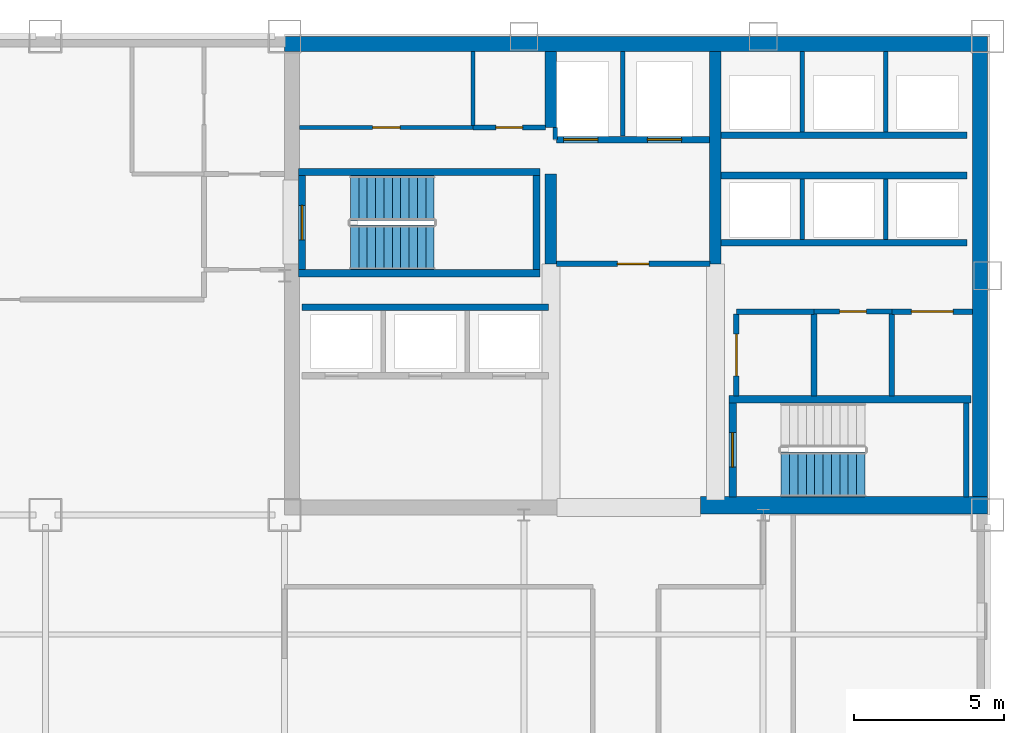
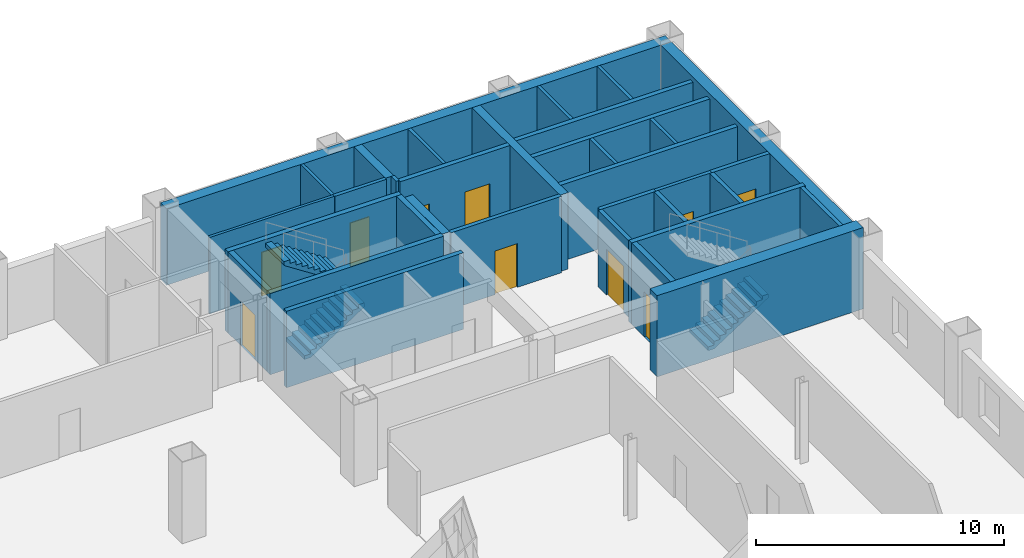
# One storey, part 7 of 10: 34 walls, 10 doors, 3 stair flights, 10 openings, 2 elements without a shape of their own.
"""IFC4 building model written with IfcOpenShell, lengths in metres."""

import ifcopenshell
import ifcopenshell.guid

model = None  # the IFC model being written
_history = None  # IfcOwnerHistory: only IFC2X3 demands one
_inside = {}  # id of a spatial element -> (the spatial element, [elements in it])
_under = {}  # id of a project, library or spatial element -> (it, [spatial elements below it])
_declared = {}  # id of a project -> (the project, [libraries it declares])
_typed = {}  # id of a type object -> (the type object, [elements of that type])
_made_of = {}  # id of a material, layer set ... -> (it, [elements and type objects made of it])


def new_model(schema):
    """Start an empty IFC model of exactly this schema.

    Asked for "IFC4X3", IfcOpenShell would pick the latest addendum, in which some entities
    have other attributes; the version numbers below select the first issue.
    IFC2X3 requires an IfcOwnerHistory on every rooted entity: one is made here for all.
    """
    global model, _history
    if schema == "IFC4X3":
        model = ifcopenshell.file(schema_version=(4, 3, 0, 0))
    else:
        model = ifcopenshell.file(schema=schema)
    _inside.clear()
    _under.clear()
    _declared.clear()
    _typed.clear()
    _made_of.clear()
    _history = None
    if model.schema == "IFC2X3":
        org = make("IfcOrganization", Name="unknown")
        user = make(
            "IfcPersonAndOrganization",
            ThePerson=make("IfcPerson", FamilyName="unknown"),
            TheOrganization=org,
        )
        app = make(
            "IfcApplication",
            ApplicationDeveloper=org,
            Version="unknown",
            ApplicationFullName="unknown",
            ApplicationIdentifier="unknown",
        )
        _history = make(
            "IfcOwnerHistory",
            OwningUser=user,
            OwningApplication=app,
            ChangeAction="ADDED",
            CreationDate=0,
        )
    return model


def make(cls, **values):
    """One entity of the class cls with the attributes given. An attribute that is None is left unset."""
    return model.create_entity(
        cls, **{name: value for name, value in values.items() if value is not None}
    )


def rooted(cls, **values):
    """An entity with a GlobalId (a new one), such as an element, a storey or a relation."""
    return make(cls, GlobalId=ifcopenshell.guid.new(), OwnerHistory=_history, **values)


def si_unit(unit_type, name, prefix=None):
    """IfcSIUnit, for example si_unit("LENGTHUNIT", "METRE", prefix="MILLI")."""
    return make("IfcSIUnit", UnitType=unit_type, Prefix=prefix, Name=name)


def assignment(units):
    """IfcUnitAssignment: the units of a project."""
    return None if units is None else make("IfcUnitAssignment", Units=units)


def point(xyz):
    """IfcCartesianPoint."""
    return None if xyz is None else make("IfcCartesianPoint", Coordinates=xyz)


def direction(xyz):
    """IfcDirection."""
    return None if xyz is None else make("IfcDirection", DirectionRatios=xyz)


def frame(location, z_axis=None, x_axis=None):
    """IfcAxis2Placement3D, a coordinate frame: its origin and axes. An axis left out is left unset."""
    return make(
        "IfcAxis2Placement3D",
        Location=point(location),
        Axis=direction(z_axis),
        RefDirection=direction(x_axis),
    )


def frame_2d(location, x_axis=None):
    """IfcAxis2Placement2D, a coordinate frame in the plane: its origin and x axis."""
    return make(
        "IfcAxis2Placement2D", Location=point(location), RefDirection=direction(x_axis)
    )


def origin():
    """The frame at (0, 0, 0) with its axes left unset."""
    return frame((0.0, 0.0, 0.0))


def place(relative_to, where):
    """IfcLocalPlacement: puts the frame where relative to a parent placement (None: the world)."""
    return make(
        "IfcLocalPlacement", PlacementRelTo=relative_to, RelativePlacement=where
    )


def context(
    kind, dimensions, precision=None, world=None, true_north=None, identifier=None
):
    """IfcGeometricRepresentationContext, for example the 3D "Model" context."""
    return make(
        "IfcGeometricRepresentationContext",
        ContextIdentifier=identifier,
        ContextType=kind,
        CoordinateSpaceDimension=dimensions,
        Precision=precision,
        WorldCoordinateSystem=world,
        TrueNorth=true_north,
    )


def subcontext(parent, identifier, kind, view, scale=None):
    """IfcGeometricRepresentationSubContext, for example "Body" below "Model"."""
    return make(
        "IfcGeometricRepresentationSubContext",
        ContextIdentifier=identifier,
        ContextType=kind,
        ParentContext=parent,
        TargetScale=scale,
        TargetView=view,
    )


def project(units=None, contexts=None):
    """IfcProject with its units and contexts."""
    return rooted(
        "IfcProject",
        Name="project",
        RepresentationContexts=contexts,
        UnitsInContext=assignment(units),
    )


def spatial(cls, under=None, at=None, **own):
    """A site, building, storey or space (cls), placed at a placement, below another one or the project."""
    s = rooted(cls, ObjectPlacement=at, **own)
    if under is not None:
        _under.setdefault(under.id(), (under, []))[1].append(s)
    return s


def polyline(points):
    """IfcPolyline through the points."""
    return make("IfcPolyline", Points=[point(p) for p in points])


def profile(cls, at=None, kind="AREA", **sizes):
    """A parametric profile (cls). Its sizes go by their IFC names, for example OverallWidth=200.0."""
    return make(cls, ProfileType=kind, Position=at, **sizes)


def rectangle(**sizes):
    """IfcRectangleProfileDef."""
    return profile("IfcRectangleProfileDef", **sizes)


def outline(outer, holes=None, kind="AREA"):
    """IfcArbitraryClosedProfileDef: a profile drawn as a closed curve; with holes, ...WithVoids."""
    if holes is None:
        return make("IfcArbitraryClosedProfileDef", ProfileType=kind, OuterCurve=outer)
    return make(
        "IfcArbitraryProfileDefWithVoids",
        ProfileType=kind,
        OuterCurve=outer,
        InnerCurves=holes,
    )


def extrude(swept, where, along, depth):
    """IfcExtrudedAreaSolid: the profile swept, set in the frame where, extruded along a direction by depth."""
    return make(
        "IfcExtrudedAreaSolid",
        SweptArea=swept,
        Position=where,
        ExtrudedDirection=direction(along),
        Depth=depth,
    )


def shape(context_of_items, identifier, shape_type, items):
    """IfcShapeRepresentation: the items that make up one representation, for example the "Body"."""
    return make(
        "IfcShapeRepresentation",
        ContextOfItems=context_of_items,
        RepresentationIdentifier=identifier,
        RepresentationType=shape_type,
        Items=items,
    )


def material(Name=None, Category=None):
    """IfcMaterial."""
    return make("IfcMaterial", Name=Name, Category=Category)


def layer(
    of_material, thickness, ventilated=None, Name=None, Category=None, Priority=None
):
    """IfcMaterialLayer: one layer of a wall or slab, of a material (None: an air gap)."""
    return make(
        "IfcMaterialLayer",
        Material=of_material,
        LayerThickness=thickness,
        IsVentilated=ventilated,
        Name=Name,
        Category=Category,
        Priority=Priority,
    )


def layer_set(layers, Name=None):
    """IfcMaterialLayerSet."""
    return make("IfcMaterialLayerSet", MaterialLayers=layers, LayerSetName=Name)


def made_of(thing, what):
    """Note that an element or type object is made of a material, layer set ...; save() writes the relation."""
    if what is not None:
        _made_of.setdefault(what.id(), (what, []))[1].append(thing)
    return thing


def type_object(cls, material=None, **own):
    """A type object (cls), such as IfcWallType, which elements share."""
    return made_of(rooted(cls, **own), material)


def element(
    cls,
    number,
    at=None,
    inside=None,
    cuts=None,
    type_object=None,
    material=None,
    context=None,
    identifier="Body",
    shape_type=None,
    held_by="IfcProductDefinitionShape",
    body=None,
    shapes=None,
    **own,
):
    """One element of the class cls, such as IfcWall. Its Tag is "e" and its number.

    at: its placement. inside: the storey or other place that contains it. cuts: it is an
    opening in that element (IfcRelVoidsElement). A single representation is given by context,
    identifier, shape_type and body (its items); several are given by shapes. held_by: the class
    of the entity that holds the representations. save() writes the other relations.
    """
    e = rooted(cls, Tag="e%d" % number, ObjectPlacement=at, **own)
    if body is not None:
        shapes = [shape(context, identifier, shape_type, body)]
    if shapes is not None:
        e.Representation = make(held_by, Representations=shapes)
    if inside is not None:
        _inside.setdefault(inside.id(), (inside, []))[1].append(e)
    if cuts is not None:
        rooted(
            "IfcRelVoidsElement", RelatingBuildingElement=cuts, RelatedOpeningElement=e
        )
    if type_object is not None:
        _typed.setdefault(type_object.id(), (type_object, []))[1].append(e)
    return made_of(e, material)


def fill(opening, filler):
    """IfcRelFillsElement: the door or window that sits in an opening."""
    return rooted(
        "IfcRelFillsElement",
        RelatingOpeningElement=opening,
        RelatedBuildingElement=filler,
    )


def aggregate(whole, parts):
    """IfcRelAggregates: a whole, such as a stair, and the parts it consists of."""
    return rooted("IfcRelAggregates", RelatingObject=whole, RelatedObjects=parts)


def save(model, path):
    """Write the relations noted so far, then the file.

    IfcRelAggregates (storeys below a building ...), IfcRelContainedInSpatialStructure (elements
    in a storey), IfcRelDefinesByType, IfcRelAssociatesMaterial and IfcRelDeclares: one each for
    every whole, place, type object, material and project.
    """
    for whole, parts in _under.values():
        aggregate(whole, parts)
    for where, things in _inside.values():
        rooted(
            "IfcRelContainedInSpatialStructure",
            RelatedElements=things,
            RelatingStructure=where,
        )
    for kind, things in _typed.values():
        rooted("IfcRelDefinesByType", RelatedObjects=things, RelatingType=kind)
    for what, things in _made_of.values():
        rooted("IfcRelAssociatesMaterial", RelatedObjects=things, RelatingMaterial=what)
    for by, libraries in _declared.values():
        rooted("IfcRelDeclares", RelatingContext=by, RelatedDefinitions=libraries)
    model.write(path)


model = new_model("IFC4")

# Units and contexts
model_context = context("Model", 3, precision=1e-05, world=origin(), true_north=direction((0.0, 1.0)))
body_context = subcontext(model_context, "Body", "Model", "MODEL_VIEW")
ifc_project = project(units=[si_unit("LENGTHUNIT", "METRE"), si_unit("AREAUNIT", "SQUARE_METRE"), si_unit("VOLUMEUNIT", "CUBIC_METRE"), si_unit("PLANEANGLEUNIT", "RADIAN"), si_unit("MASSUNIT", "GRAM", prefix="KILO")], contexts=[model_context])

# Site, building, storey
site_placement = place(None, origin())
site = spatial("IfcSite", under=ifc_project, at=site_placement, CompositionType="ELEMENT")
building_placement = place(site_placement, origin())
building = spatial("IfcBuilding", under=site, at=building_placement, Name="Qianrong Seaharbour Tower", CompositionType="ELEMENT")
storey_placement = place(building_placement, frame((0.0, 0.0, 159.0)))
storey = spatial("IfcBuildingStorey", under=building, at=storey_placement, Name="L38", CompositionType="ELEMENT", Elevation=159.0)

# Walls
ifc_material_1 = material(Name="Concrete C60/75", Category="concrete")
ifc_layer_1 = layer(ifc_material_1, 0.5)
ifc_layer_set_1 = layer_set([ifc_layer_1], Name="Concrete C60/75")
wall_type_1 = type_object("IfcWallType", Name="WALL-CORE-500", PredefinedType="SHEAR", material=ifc_layer_set_1)
wall_1_placement = place(storey_placement, frame((40.5, 51.75, 0.0), z_axis=(0.0, 0.0, 1.0), x_axis=(1.0, 0.0, 0.0)))
element("IfcWall", 1, at=wall_1_placement, inside=storey, type_object=wall_type_1, Name="L38 North Core Shear Wall", PredefinedType="SHEAR", context=body_context, shape_type="SweptSolid", body=[
    extrude(rectangle(XDim=23.5, YDim=0.5, at=frame_2d((11.75, 0.0))), origin(), (0.0, 0.0, 1.0), 3.764892578125),
])
wall_2_placement = place(storey_placement, frame((63.75, 36.320068359375, 0.0), z_axis=(0.0, 0.0, 1.0), x_axis=(0.0, 1.0, 0.0)))
element("IfcWall", 2, at=wall_2_placement, inside=storey, type_object=wall_type_1, Name="L38 East Core Shear Wall", PredefinedType="SHEAR", context=body_context, shape_type="SweptSolid", body=[
    extrude(rectangle(XDim=15.179931640625, YDim=0.5, at=frame_2d((7.58984375, 0.0))), origin(), (0.0, 0.0, 1.0), 3.764892578125),
])
ifc_material_2 = material(Name="Concrete C70/85", Category="concrete")
ifc_layer_2 = layer(ifc_material_2, 0.580078125)
ifc_layer_set_2 = layer_set([ifc_layer_2], Name="Concrete C70/85")
wall_type_2 = type_object("IfcWallType", Name="WALL-CORE-580", PredefinedType="SHEAR", material=ifc_layer_set_2)
wall_3_placement = place(storey_placement, frame((54.39990234375, 36.320068359375, 0.0), z_axis=(0.0, 0.0, 1.0), x_axis=(1.0, 0.0, 0.0)))
element("IfcWall", 3, at=wall_3_placement, inside=storey, type_object=wall_type_2, Name="L38 South Core Shear Wall S3", PredefinedType="SHEAR", context=body_context, shape_type="SweptSolid", body=[
    extrude(rectangle(XDim=9.60009765625, YDim=0.580078125, at=frame_2d((4.800048828125, 0.0))), origin(), (0.0, 0.0, 1.0), 4.0),
])
ifc_layer_3 = layer(ifc_material_1, 0.3798828125)
ifc_layer_set_3 = layer_set([ifc_layer_3], Name="Concrete C60/75")
wall_type_3 = type_object("IfcWallType", Name="WALL-CORE-INT-380", PredefinedType="SHEAR", material=ifc_layer_set_3)
wall_4_placement = place(storey_placement, frame((49.39990234375, 44.39990234375, 0.0), z_axis=(0.0, 0.0, 1.0), x_axis=(0.0, 1.0, 0.0)))
element("IfcWall", 4, at=wall_4_placement, inside=storey, type_object=wall_type_3, Name="L38 Internal Core Shear Wall IW1N1", PredefinedType="SHEAR", context=body_context, shape_type="SweptSolid", body=[
    extrude(rectangle(XDim=3.0, YDim=0.3798828125, at=frame_2d((1.5, 0.0))), origin(), (0.0, 0.0, 1.0), 3.764892578125),
])
wall_5_placement = place(storey_placement, frame((49.39990234375, 48.949951171875, 0.0), z_axis=(0.0, 0.0, 1.0), x_axis=(0.0, 1.0, 0.0)))
element("IfcWall", 5, at=wall_5_placement, inside=storey, type_object=wall_type_3, Name="L38 Internal Core Shear Wall IW1N2", PredefinedType="SHEAR", context=body_context, shape_type="SweptSolid", body=[
    extrude(rectangle(XDim=2.550048828125, YDim=0.3798828125, at=frame_2d((1.27490234375, 0.0))), origin(), (0.0, 0.0, 1.0), 3.764892578125),
])
wall_6_placement = place(storey_placement, frame((54.89990234375, 44.39990234375, 0.0), z_axis=(0.0, 0.0, 1.0), x_axis=(0.0, 1.0, 0.0)))
element("IfcWall", 6, at=wall_6_placement, inside=storey, type_object=wall_type_3, Name="L38 Internal Core Shear Wall IW2N", PredefinedType="SHEAR", context=body_context, shape_type="SweptSolid", body=[
    extrude(rectangle(XDim=7.10009765625, YDim=0.3798828125, at=frame_2d((3.550048828125, 0.0))), origin(), (0.0, 0.0, 1.0), 3.764892578125),
])

# Wall, opening, door
ifc_material_3 = material(Name="Fire-rated acoustic gypsum board partition")
ifc_layer_4 = layer(ifc_material_3, 0.1650390625)
ifc_layer_set_4 = layer_set([ifc_layer_4], Name="Fire-rated acoustic gypsum board partition")
wall_type_4 = type_object("IfcWallType", Name="WALL-CORR-PART-165", PredefinedType="PARTITIONING", material=ifc_layer_set_4)
wall_7_placement = place(storey_placement, frame((46.800048828125, 48.949951171875, 0.0), z_axis=(0.0, 0.0, 1.0), x_axis=(1.0, 0.0, 0.0)))
wall_7 = element("IfcWall", 7, at=wall_7_placement, inside=storey, type_object=wall_type_4, Name="L38 Interior Partition Wall 008", PredefinedType="PARTITIONING", context=body_context, shape_type="SweptSolid", body=[
    extrude(rectangle(XDim=2.41796875, YDim=0.1650390625, at=frame_2d((1.208984375, 0.0))), origin(), (0.0, 0.0, 1.0), 3.764892578125),
])
opening_1_placement = place(wall_7_placement, frame((0.759033203125, 0.0, 0.0)))
opening_1 = element("IfcOpeningElement", 8, at=opening_1_placement, cuts=wall_7, Name="Opening DS-01", PredefinedType="OPENING", context=body_context, shape_type="SweptSolid", body=[
    extrude(rectangle(XDim=0.89990234375, YDim=2.14990234375, at=frame_2d((0.449951171875, 1.074951171875))), frame((0.0, 0.092529296875, 0.0), z_axis=(0.0, -1.0, 0.0), x_axis=(1.0, 0.0, 0.0)), (0.0, 0.0, 1.0), 0.18505859375),
])
ifc_material_4 = material(Name="Acoustic timber and galvanized steel fire door assembly", Category="steel")
door_type_1 = type_object("IfcDoorType", Name="DOOR-STORE-900x2150", OperationType="NOTDEFINED", PredefinedType="DOOR", material=ifc_material_4)
door_1_placement = place(opening_1_placement, origin())
door_1 = element("IfcDoor", 9, at=door_1_placement, inside=storey, type_object=door_type_1, Name="L38 Janitor Store Room Door", OperationType="SINGLE_SWING_LEFT", OverallHeight=2.14990234375, OverallWidth=0.89990234375, PredefinedType="DOOR", context=body_context, shape_type="SweptSolid", body=[
    extrude(rectangle(XDim=0.89990234375, YDim=2.14990234375, at=frame_2d((0.449951171875, 1.074951171875))), frame((0.0, 0.02490234375, 0.0), z_axis=(0.0, -1.0, 0.0), x_axis=(1.0, 0.0, 0.0)), (0.0, 0.0, 1.0), 0.050048828125),
])
fill(opening_1, door_1)

wall_8_placement = place(storey_placement, frame((60.800048828125, 42.800048828125, 0.0), z_axis=(0.0, 0.0, 1.0), x_axis=(-1.0, 0.0, 0.0)))
wall_8 = element("IfcWall", 10, at=wall_8_placement, inside=storey, type_object=wall_type_4, Name="L38 Interior Partition Wall 012", PredefinedType="PARTITIONING", context=body_context, shape_type="SweptSolid", body=[
    extrude(rectangle(XDim=2.60009765625, YDim=0.1650390625, at=frame_2d((1.300048828125, 0.0))), origin(), (0.0, 0.0, 1.0), 3.764892578125),
])
opening_2_placement = place(wall_8_placement, frame((0.85009765625, 0.0, 0.0)))
opening_2 = element("IfcOpeningElement", 11, at=opening_2_placement, cuts=wall_8, Name="Opening DS-01", PredefinedType="OPENING", context=body_context, shape_type="SweptSolid", body=[
    extrude(rectangle(XDim=0.89990234375, YDim=2.14990234375, at=frame_2d((0.449951171875, 1.074951171875))), frame((0.0, 0.092529296875, 0.0), z_axis=(0.0, -1.0, 0.0), x_axis=(1.0, 0.0, 0.0)), (0.0, 0.0, 1.0), 0.18505859375),
])
door_2_placement = place(opening_2_placement, origin())
door_2 = element("IfcDoor", 12, at=door_2_placement, inside=storey, type_object=door_type_1, Name="L38 Supply Store Room Door", OperationType="SINGLE_SWING_RIGHT", OverallHeight=2.14990234375, OverallWidth=0.89990234375, PredefinedType="DOOR", context=body_context, shape_type="SweptSolid", body=[
    extrude(rectangle(XDim=0.89990234375, YDim=2.14990234375, at=frame_2d((0.449951171875, 1.074951171875))), frame((0.0, 0.02490234375, 0.0), z_axis=(0.0, -1.0, 0.0), x_axis=(1.0, 0.0, 0.0)), (0.0, 0.0, 1.0), 0.050048828125),
])
fill(opening_2, door_2)

ifc_material_5 = material(Name="Double fire-rated gypsum board acoustic partition")
ifc_layer_5 = layer(ifc_material_5, 0.18994140625)
ifc_layer_set_5 = layer_set([ifc_layer_5], Name="Double fire-rated gypsum board acoustic partition")
wall_type_5 = type_object("IfcWallType", Name="WALL-FIRE-PART-190", PredefinedType="PARTITIONING", material=ifc_layer_set_5)
wall_9_placement = place(storey_placement, frame((54.718017578125, 44.39990234375, 0.0), z_axis=(0.0, 0.0, 1.0), x_axis=(-1.0, 0.0, 0.0)))
wall_9 = element("IfcWall", 13, at=wall_9_placement, inside=storey, type_object=wall_type_5, Name="L38 Interior Partition Wall 009", PredefinedType="PARTITIONING", context=body_context, shape_type="SweptSolid", body=[
    extrude(rectangle(XDim=5.135986328125, YDim=0.18994140625, at=frame_2d((2.56787109375, 0.0))), origin(), (0.0, 0.0, 1.0), 3.764892578125),
])
opening_3_placement = place(wall_9_placement, frame((2.04296875, 0.0, 0.0)))
opening_3 = element("IfcOpeningElement", 14, at=opening_3_placement, cuts=wall_9, Name="Opening DC-01", PredefinedType="OPENING", context=body_context, shape_type="SweptSolid", body=[
    extrude(rectangle(XDim=1.050048828125, YDim=2.14990234375, at=frame_2d((0.52490234375, 1.074951171875))), frame((0.0, 0.10498046875, 0.0), z_axis=(0.0, -1.0, 0.0), x_axis=(1.0, 0.0, 0.0)), (0.0, 0.0, 1.0), 0.2099609375),
])
door_type_2 = type_object("IfcDoorType", Name="DOOR-CORR-FD60-1050x2150", OperationType="NOTDEFINED", PredefinedType="DOOR", material=ifc_material_4)
door_3_placement = place(opening_3_placement, origin())
door_3 = element("IfcDoor", 15, at=door_3_placement, inside=storey, type_object=door_type_2, Name="L38 Firefighting Lift Lobby Door", OperationType="SINGLE_SWING_LEFT", OverallHeight=2.14990234375, OverallWidth=1.050048828125, PredefinedType="DOOR", context=body_context, shape_type="SweptSolid", body=[
    extrude(rectangle(XDim=1.050048828125, YDim=2.14990234375, at=frame_2d((0.52490234375, 1.074951171875))), frame((0.0, 0.02490234375, 0.0), z_axis=(0.0, -1.0, 0.0), x_axis=(1.0, 0.0, 0.0)), (0.0, 0.0, 1.0), 0.050048828125),
])
fill(opening_3, door_3)

wall_10_placement = place(storey_placement, frame((55.60009765625, 42.712890625, 0.0), z_axis=(0.0, 0.0, 1.0), x_axis=(0.0, -1.0, 0.0)))
wall_10 = element("IfcWall", 16, at=wall_10_placement, inside=storey, type_object=wall_type_5, Name="L38 Interior Partition Wall 010", PredefinedType="PARTITIONING", context=body_context, shape_type="SweptSolid", body=[
    extrude(rectangle(XDim=2.73095703125, YDim=0.18994140625, at=frame_2d((1.365478515625, 0.0))), origin(), (0.0, 0.0, 1.0), 3.764892578125),
])
opening_4_placement = place(wall_10_placement, frame((0.66552734375, 0.0, 0.0)))
opening_4 = element("IfcOpeningElement", 17, at=opening_4_placement, cuts=wall_10, Name="Opening DP-01", PredefinedType="OPENING", context=body_context, shape_type="SweptSolid", body=[
    extrude(rectangle(XDim=1.39990234375, YDim=2.25, at=frame_2d((0.699951171875, 1.125))), frame((0.0, 0.10498046875, 0.0), z_axis=(0.0, -1.0, 0.0), x_axis=(1.0, 0.0, 0.0)), (0.0, 0.0, 1.0), 0.2099609375),
])
door_type_3 = type_object("IfcDoorType", Name="DOOR-PLANT-PAIR-1400x2250", OperationType="DOUBLE_DOOR_SINGLE_SWING", PredefinedType="DOOR", material=ifc_material_4)
door_4_placement = place(opening_4_placement, origin())
door_4 = element("IfcDoor", 18, at=door_4_placement, inside=storey, type_object=door_type_3, Name="L38 Core Telecom Room Door", OperationType="DOUBLE_DOOR_SINGLE_SWING", OverallHeight=2.25, OverallWidth=1.39990234375, PredefinedType="DOOR", context=body_context, shape_type="SweptSolid", body=[
    extrude(rectangle(XDim=1.39990234375, YDim=2.25, at=frame_2d((0.699951171875, 1.125))), frame((0.0, 0.02490234375, 0.0), z_axis=(0.0, -1.0, 0.0), x_axis=(1.0, 0.0, 0.0)), (0.0, 0.0, 1.0), 0.050048828125),
])
fill(opening_4, door_4)

# Wall
wall_11_placement = place(storey_placement, frame((58.199951171875, 42.800048828125, 0.0), z_axis=(0.0, 0.0, 1.0), x_axis=(-1.0, 0.0, 0.0)))
element("IfcWall", 19, at=wall_11_placement, inside=storey, type_object=wall_type_5, Name="L38 Interior Partition Wall 011", PredefinedType="PARTITIONING", context=body_context, shape_type="SweptSolid", body=[
    extrude(rectangle(XDim=2.599853515625, YDim=0.18994140625, at=frame_2d((1.2998046875, 0.0))), origin(), (0.0, 0.0, 1.0), 3.764892578125),
])

# Wall, opening, door
wall_12_placement = place(storey_placement, frame((63.5, 42.800048828125, 0.0), z_axis=(0.0, 0.0, 1.0), x_axis=(-1.0, 0.0, 0.0)))
wall_12 = element("IfcWall", 20, at=wall_12_placement, inside=storey, type_object=wall_type_5, Name="L38 Interior Partition Wall 013", PredefinedType="PARTITIONING", context=body_context, shape_type="SweptSolid", body=[
    extrude(rectangle(XDim=2.699951171875, YDim=0.18994140625, at=frame_2d((1.35009765625, 0.0))), origin(), (0.0, 0.0, 1.0), 3.764892578125),
])
opening_5_placement = place(wall_12_placement, frame((0.64990234375, 0.0, 0.0)))
opening_5 = element("IfcOpeningElement", 21, at=opening_5_placement, cuts=wall_12, Name="Opening DP-01", PredefinedType="OPENING", context=body_context, shape_type="SweptSolid", body=[
    extrude(rectangle(XDim=1.39990234375, YDim=2.25, at=frame_2d((0.699951171875, 1.125))), frame((0.0, 0.10498046875, 0.0), z_axis=(0.0, -1.0, 0.0), x_axis=(1.0, 0.0, 0.0)), (0.0, 0.0, 1.0), 0.2099609375),
])
door_5_placement = place(opening_5_placement, origin())
door_5 = element("IfcDoor", 22, at=door_5_placement, inside=storey, type_object=door_type_3, Name="L38 Building Metering Room Door", OperationType="DOUBLE_DOOR_SINGLE_SWING", OverallHeight=2.25, OverallWidth=1.39990234375, PredefinedType="DOOR", context=body_context, shape_type="SweptSolid", body=[
    extrude(rectangle(XDim=1.39990234375, YDim=2.25, at=frame_2d((0.699951171875, 1.125))), frame((0.0, 0.02490234375, 0.0), z_axis=(0.0, -1.0, 0.0), x_axis=(1.0, 0.0, 0.0)), (0.0, 0.0, 1.0), 0.050048828125),
])
fill(opening_5, door_5)

# Walls
for number, where, z_axis, x_axis, name in (
    (23, (58.199951171875, 42.712890625, 0.0), (0.0, 0.0, 1.0), (0.0, -1.0, 0.0), "L38 Interior Partition Wall 015"),
    (24, (60.800048828125, 42.712890625, 0.0), (0.0, 0.0, 1.0), (0.0, -1.0, 0.0), "L38 Interior Partition Wall 016"),
):
    element("IfcWall", number, at=place(storey_placement, frame(where, z_axis=z_axis, x_axis=x_axis)), inside=storey, type_object=wall_type_5, Name=name, PredefinedType="PARTITIONING", context=body_context, shape_type="SweptSolid", body=[
        extrude(rectangle(XDim=2.73095703125, YDim=0.18994140625, at=frame_2d((1.365478515625, 0.0))), origin(), (0.0, 0.0, 1.0), 3.764892578125),
    ])
ifc_material_6 = material(Name="Fire-rated gypsum board on steel studs", Category="steel")
ifc_layer_6 = layer(ifc_material_6, 0.14990234375)
ifc_layer_set_6 = layer_set([ifc_layer_6], Name="Fire-rated gypsum board on steel studs")
wall_type_6 = type_object("IfcWallType", Name="WALL-SHAFT-DIV-150", PredefinedType="PARTITIONING", material=ifc_layer_set_6)
wall_13_placement = place(storey_placement, frame((51.800048828125, 48.669921875, 0.0), z_axis=(0.0, 0.0, 1.0), x_axis=(0.0, 1.0, 0.0)))
element("IfcWall", 25, at=wall_13_placement, inside=storey, type_object=wall_type_6, Name="L38 Firefighting Lift Shaft Divider Wall", PredefinedType="PARTITIONING", context=body_context, shape_type="SweptSolid", body=[
    extrude(rectangle(XDim=2.830078125, YDim=0.14990234375, at=frame_2d((1.4150390625, 0.0))), origin(), (0.0, 0.0, 1.0), 3.764892578125),
])
wall_14_placement = place(storey_placement, frame((49.550048828125, 48.550048828125, 0.0), z_axis=(0.0, 0.0, 1.0), x_axis=(0.0, 1.0, 0.0)))
element("IfcWall", 26, at=wall_14_placement, inside=storey, type_object=wall_type_6, Name="L38 Firefighting Lift Shaft West Return Wall", PredefinedType="PARTITIONING", context=body_context, shape_type="SweptSolid", body=[
    extrude(rectangle(XDim=0.39990234375, YDim=0.14990234375, at=frame_2d((0.199951171875, 0.0))), origin(), (0.0, 0.0, 1.0), 3.764892578125),
])
for number, where, z_axis, x_axis, name in (
    (27, (57.800048828125, 45.2099609375, 0.0), (0.0, 0.0, 1.0), (0.0, 1.0, 0.0), "L38 P3 Lift Hoistway Divider 2"),
    (28, (60.60009765625, 45.2099609375, 0.0), (0.0, 0.0, 1.0), (0.0, 1.0, 0.0), "L38 P3 Lift Hoistway Divider 3"),
):
    element("IfcWall", number, at=place(storey_placement, frame(where, z_axis=z_axis, x_axis=x_axis)), inside=storey, type_object=wall_type_6, Name=name, PredefinedType="PARTITIONING", context=body_context, shape_type="SweptSolid", body=[
        extrude(rectangle(XDim=2.030029296875, YDim=0.14990234375, at=frame_2d((1.01513671875, 0.0))), origin(), (0.0, 0.0, 1.0), 3.764892578125),
    ])
for number, where, z_axis, x_axis, name in (
    (29, (57.800048828125, 48.81005859375, 0.0), (0.0, 0.0, 1.0), (0.0, 1.0, 0.0), "L38 P4 Lift Hoistway Divider 2"),
    (30, (60.60009765625, 48.81005859375, 0.0), (0.0, 0.0, 1.0), (0.0, 1.0, 0.0), "L38 P4 Lift Hoistway Divider 3"),
):
    element("IfcWall", number, at=place(storey_placement, frame(where, z_axis=z_axis, x_axis=x_axis)), inside=storey, type_object=wall_type_6, Name=name, PredefinedType="PARTITIONING", context=body_context, shape_type="SweptSolid", body=[
        extrude(rectangle(XDim=2.68994140625, YDim=0.14990234375, at=frame_2d((1.344970703125, 0.0))), origin(), (0.0, 0.0, 1.0), 3.764892578125),
    ])

# Wall, openings, doors
ifc_layer_7 = layer(ifc_material_6, 0.219970703125)
ifc_layer_set_7 = layer_set([ifc_layer_7], Name="Fire-rated gypsum board on steel studs")
wall_type_7 = type_object("IfcWallType", Name="WALL-SHAFT-GYP220", PredefinedType="PARTITIONING", material=ifc_layer_set_7)
wall_15_placement = place(storey_placement, frame((54.7099609375, 48.550048828125, 0.0), z_axis=(0.0, 0.0, 1.0), x_axis=(-1.0, 0.0, 0.0)))
wall_15 = element("IfcWall", 31, at=wall_15_placement, inside=storey, type_object=wall_type_7, Name="L38 Firefighting Lift Shaft Front Wall", PredefinedType="PARTITIONING", context=body_context, shape_type="SweptSolid", body=[
    extrude(rectangle(XDim=5.119873046875, YDim=0.219970703125, at=frame_2d((2.56005859375, 0.0))), origin(), (0.0, 0.0, 1.0), 3.764892578125),
])
opening_6_placement = place(wall_15_placement, frame((3.735107421875, 0.0, 0.0)))
opening_6 = element("IfcOpeningElement", 32, at=opening_6_placement, cuts=wall_15, Name="Opening LD-01", PredefinedType="OPENING", context=body_context, shape_type="SweptSolid", body=[
    extrude(rectangle(XDim=1.14990234375, YDim=2.199951171875, at=frame_2d((0.574951171875, 1.10009765625))), frame((0.0, 0.1201171875, 0.0), z_axis=(0.0, -1.0, 0.0), x_axis=(1.0, 0.0, 0.0)), (0.0, 0.0, 1.0), 0.239990234375),
])
opening_7_placement = place(wall_15_placement, frame((0.93505859375, 0.0, 0.0)))
opening_7 = element("IfcOpeningElement", 33, at=opening_7_placement, cuts=wall_15, Name="Opening LD-01", PredefinedType="OPENING", context=body_context, shape_type="SweptSolid", body=[
    extrude(rectangle(XDim=1.14990234375, YDim=2.199951171875, at=frame_2d((0.574951171875, 1.10009765625))), frame((0.0, 0.1201171875, 0.0), z_axis=(0.0, -1.0, 0.0), x_axis=(1.0, 0.0, 0.0)), (0.0, 0.0, 1.0), 0.239990234375),
])
ifc_material_7 = material(Name="Stainless steel SUS316L bi-parting lift landing door", Category="steel")
door_type_4 = type_object("IfcDoorType", Name="DOOR-LIFT-FF-1150x2200", OperationType="DOUBLE_DOOR_SLIDING", PredefinedType="DOOR", material=ifc_material_7)
door_6_placement = place(opening_6_placement, origin())
door_6 = element("IfcDoor", 34, at=door_6_placement, inside=storey, type_object=door_type_4, Name="L38 FL-1 Firefighting Lift Landing Door", OperationType="DOUBLE_DOOR_SLIDING", OverallHeight=2.199951171875, OverallWidth=1.14990234375, PredefinedType="DOOR", context=body_context, shape_type="SweptSolid", body=[
    extrude(rectangle(XDim=1.14990234375, YDim=2.199951171875, at=frame_2d((0.574951171875, 1.10009765625))), frame((0.0, 0.02490234375, 0.0), z_axis=(0.0, -1.0, 0.0), x_axis=(1.0, 0.0, 0.0)), (0.0, 0.0, 1.0), 0.050048828125),
])
fill(opening_6, door_6)
door_7_placement = place(opening_7_placement, origin())
door_7 = element("IfcDoor", 35, at=door_7_placement, inside=storey, type_object=door_type_4, Name="L38 FL-2 Firefighting Lift Landing Door", OperationType="DOUBLE_DOOR_SLIDING", OverallHeight=2.199951171875, OverallWidth=1.14990234375, PredefinedType="DOOR", context=body_context, shape_type="SweptSolid", body=[
    extrude(rectangle(XDim=1.14990234375, YDim=2.199951171875, at=frame_2d((0.574951171875, 1.10009765625))), frame((0.0, 0.02490234375, 0.0), z_axis=(0.0, -1.0, 0.0), x_axis=(1.0, 0.0, 0.0)), (0.0, 0.0, 1.0), 0.050048828125),
])
fill(opening_7, door_7)

# Walls
for number, where, z_axis, x_axis, name in (
    (36, (41.080078125, 42.949951171875, 0.0), (0.0, 0.0, 1.0), (1.0, 0.0, 0.0), "L38 P2 Lift Hoistway Back Wall"),
    (37, (63.320068359375, 45.10009765625, 0.0), (0.0, 0.0, 1.0), (-1.0, 0.0, 0.0), "L38 P3 Lift Hoistway Front Wall"),
    (38, (55.080078125, 47.35009765625, 0.0), (0.0, 0.0, 1.0), (1.0, 0.0, 0.0), "L38 P3 Lift Hoistway Back Wall"),
    (39, (63.320068359375, 48.699951171875, 0.0), (0.0, 0.0, 1.0), (-1.0, 0.0, 0.0), "L38 P4 Lift Hoistway Front Wall"),
):
    element("IfcWall", number, at=place(storey_placement, frame(where, z_axis=z_axis, x_axis=x_axis)), inside=storey, type_object=wall_type_7, Name=name, PredefinedType="PARTITIONING", context=body_context, shape_type="SweptSolid", body=[
        extrude(rectangle(XDim=8.239990234375, YDim=0.219970703125, at=frame_2d((4.1201171875, 0.0))), origin(), (0.0, 0.0, 1.0), 3.764892578125),
    ])
ifc_material_8 = material(Name="Concrete C50/60", Category="concrete")
ifc_layer_8 = layer(ifc_material_8, 0.239990234375)
ifc_layer_set_8 = layer_set([ifc_layer_8], Name="Concrete C50/60")
wall_type_8 = type_object("IfcWallType", Name="WALL-SHAFT-RC240", PredefinedType="SOLIDWALL", material=ifc_layer_set_8)
for number, where, z_axis, x_axis, name in (
    (40, (40.9599609375, 47.469970703125, 0.0), (0.0, 0.0, 1.0), (1.0, 0.0, 0.0), "L38 ST-1 Structural Stair Core Wall N"),
    (41, (49.0400390625, 44.080078125, 0.0), (0.0, 0.0, 1.0), (-1.0, 0.0, 0.0), "L38 ST-1 Structural Stair Core Wall S"),
):
    element("IfcWall", number, at=place(storey_placement, frame(where, z_axis=z_axis, x_axis=x_axis)), inside=storey, type_object=wall_type_8, Name=name, PredefinedType="SOLIDWALL", context=body_context, shape_type="SweptSolid", body=[
        extrude(rectangle(XDim=8.080078125, YDim=0.239990234375, at=frame_2d((4.0400390625, 0.0))), origin(), (0.0, 0.0, 1.0), 4.0),
    ])

# Wall, opening, door
wall_16_placement = place(storey_placement, frame((41.080078125, 47.35009765625, 0.0), z_axis=(0.0, 0.0, 1.0), x_axis=(0.0, -1.0, 0.0)))
wall_16 = element("IfcWall", 42, at=wall_16_placement, inside=storey, type_object=wall_type_8, Name="L38 ST-1 Structural Stair Core Wall W", PredefinedType="SOLIDWALL", context=body_context, shape_type="SweptSolid", body=[
    extrude(rectangle(XDim=3.150146484375, YDim=0.239990234375, at=frame_2d((1.5751953125, 0.0))), origin(), (0.0, 0.0, 1.0), 4.0),
])
opening_8_placement = place(wall_16_placement, frame((1.0, 0.0, 0.0)))
opening_8 = element("IfcOpeningElement", 43, at=opening_8_placement, cuts=wall_16, Name="Opening SD-01", PredefinedType="OPENING", context=body_context, shape_type="SweptSolid", body=[
    extrude(rectangle(XDim=1.14990234375, YDim=2.199951171875, at=frame_2d((0.574951171875, 1.10009765625))), frame((0.0, 0.1298828125, 0.0), z_axis=(0.0, -1.0, 0.0), x_axis=(1.0, 0.0, 0.0)), (0.0, 0.0, 1.0), 0.260009765625),
])
door_type_5 = type_object("IfcDoorType", Name="DOOR-STAIR-FD60-1150x2200", OperationType="NOTDEFINED", PredefinedType="DOOR", material=ifc_material_4)
door_8_placement = place(opening_8_placement, origin())
door_8 = element("IfcDoor", 44, at=door_8_placement, inside=storey, type_object=door_type_5, Name="L38 ST-1 Protected Stair Door", OperationType="SINGLE_SWING_LEFT", OverallHeight=2.199951171875, OverallWidth=1.14990234375, PredefinedType="DOOR", context=body_context, shape_type="SweptSolid", body=[
    extrude(rectangle(XDim=1.14990234375, YDim=2.199951171875, at=frame_2d((0.574951171875, 1.10009765625))), frame((0.0, 0.02490234375, 0.0), z_axis=(0.0, -1.0, 0.0), x_axis=(1.0, 0.0, 0.0)), (0.0, 0.0, 1.0), 0.050048828125),
])
fill(opening_8, door_8)

# Walls
wall_17_placement = place(storey_placement, frame((48.919921875, 44.199951171875, 0.0), z_axis=(0.0, 0.0, 1.0), x_axis=(0.0, 1.0, 0.0)))
element("IfcWall", 45, at=wall_17_placement, inside=storey, type_object=wall_type_8, Name="L38 ST-1 Structural Stair Core Wall E", PredefinedType="SOLIDWALL", context=body_context, shape_type="SweptSolid", body=[
    extrude(rectangle(XDim=3.150146484375, YDim=0.239990234375, at=frame_2d((1.5751953125, 0.0))), origin(), (0.0, 0.0, 1.0), 4.0),
])
wall_18_placement = place(storey_placement, frame((55.360107421875, 39.8701171875, 0.0), z_axis=(0.0, 0.0, 1.0), x_axis=(1.0, 0.0, 0.0)))
element("IfcWall", 46, at=wall_18_placement, inside=storey, type_object=wall_type_8, Name="L38 ST-2 Structural Stair Core Wall N", PredefinedType="SOLIDWALL", context=body_context, shape_type="SweptSolid", body=[
    extrude(rectangle(XDim=8.079833984375, YDim=0.239990234375, at=frame_2d((4.0400390625, 0.0))), origin(), (0.0, 0.0, 1.0), 4.0),
])

# Wall, opening, door
wall_19_placement = place(storey_placement, frame((55.47998046875, 39.75, 0.0), z_axis=(0.0, 0.0, 1.0), x_axis=(0.0, -1.0, 0.0)))
wall_19 = element("IfcWall", 47, at=wall_19_placement, inside=storey, type_object=wall_type_8, Name="L38 ST-2 Structural Stair Core Wall W", PredefinedType="SOLIDWALL", context=body_context, shape_type="SweptSolid", body=[
    extrude(rectangle(XDim=3.14990234375, YDim=0.239990234375, at=frame_2d((1.574951171875, 0.0))), origin(), (0.0, 0.0, 1.0), 4.0),
])
opening_9_placement = place(wall_19_placement, frame((1.0, 0.0, 0.0)))
opening_9 = element("IfcOpeningElement", 48, at=opening_9_placement, cuts=wall_19, Name="Opening SD-01", PredefinedType="OPENING", context=body_context, shape_type="SweptSolid", body=[
    extrude(rectangle(XDim=1.14990234375, YDim=2.199951171875, at=frame_2d((0.574951171875, 1.10009765625))), frame((0.0, 0.1298828125, 0.0), z_axis=(0.0, -1.0, 0.0), x_axis=(1.0, 0.0, 0.0)), (0.0, 0.0, 1.0), 0.260009765625),
])
door_9_placement = place(opening_9_placement, origin())
door_9 = element("IfcDoor", 49, at=door_9_placement, inside=storey, type_object=door_type_5, Name="L38 ST-2 Protected Stair Door", OperationType="SINGLE_SWING_LEFT", OverallHeight=2.199951171875, OverallWidth=1.14990234375, PredefinedType="DOOR", context=body_context, shape_type="SweptSolid", body=[
    extrude(rectangle(XDim=1.14990234375, YDim=2.199951171875, at=frame_2d((0.574951171875, 1.10009765625))), frame((0.0, 0.02490234375, 0.0), z_axis=(0.0, -1.0, 0.0), x_axis=(1.0, 0.0, 0.0)), (0.0, 0.0, 1.0), 0.050048828125),
])
fill(opening_9, door_9)

# Wall
wall_20_placement = place(storey_placement, frame((63.2900390625, 36.60009765625, 0.0), z_axis=(0.0, 0.0, 1.0), x_axis=(0.0, 1.0, 0.0)))
element("IfcWall", 50, at=wall_20_placement, inside=storey, type_object=wall_type_8, Name="L38 ST-2 Structural Stair Core Wall E", PredefinedType="SOLIDWALL", context=body_context, shape_type="SweptSolid", body=[
    extrude(rectangle(XDim=3.14990234375, YDim=0.179931640625, at=frame_2d((1.574951171875, 0.0))), origin(), (0.0, 0.0, 1.0), 4.0),
])

# Wall, opening, door
ifc_material_9 = material(Name="Water-resistant cement board sanitary partition")
ifc_layer_9 = layer(ifc_material_9, 0.1298828125)
ifc_layer_set_9 = layer_set([ifc_layer_9], Name="Water-resistant cement board sanitary partition")
wall_type_9 = type_object("IfcWallType", Name="WALL-WET-PART-130", PredefinedType="PARTITIONING", material=ifc_layer_set_9)
wall_21_placement = place(storey_placement, frame((41.0, 48.949951171875, 0.0), z_axis=(0.0, 0.0, 1.0), x_axis=(1.0, 0.0, 0.0)))
wall_21 = element("IfcWall", 51, at=wall_21_placement, inside=storey, type_object=wall_type_9, Name="L38 Interior Partition Wall 007", PredefinedType="PARTITIONING", context=body_context, shape_type="SweptSolid", body=[
    extrude(rectangle(XDim=5.800048828125, YDim=0.1298828125, at=frame_2d((2.89990234375, 0.0))), origin(), (0.0, 0.0, 1.0), 3.764892578125),
])
opening_10_placement = place(wall_21_placement, frame((2.43994140625, 0.0, 0.0)))
opening_10 = element("IfcOpeningElement", 52, at=opening_10_placement, cuts=wall_21, Name="Opening DW-01", PredefinedType="OPENING", context=body_context, shape_type="SweptSolid", body=[
    extrude(rectangle(XDim=0.919921875, YDim=2.14990234375, at=frame_2d((0.4599609375, 1.074951171875))), frame((0.0, 0.074951171875, 0.0), z_axis=(0.0, -1.0, 0.0), x_axis=(1.0, 0.0, 0.0)), (0.0, 0.0, 1.0), 0.14990234375),
])
door_type_6 = type_object("IfcDoorType", Name="DOOR-WC-920x2150", OperationType="NOTDEFINED", PredefinedType="DOOR", material=ifc_material_4)
door_10_placement = place(opening_10_placement, origin())
door_10 = element("IfcDoor", 53, at=door_10_placement, inside=storey, type_object=door_type_6, Name="L38 Restroom WC Suite Door", OperationType="SINGLE_SWING_RIGHT", OverallHeight=2.14990234375, OverallWidth=0.919921875, PredefinedType="DOOR", context=body_context, shape_type="SweptSolid", body=[
    extrude(rectangle(XDim=0.919921875, YDim=2.14990234375, at=frame_2d((0.4599609375, 1.074951171875))), frame((0.0, 0.02490234375, 0.0), z_axis=(0.0, -1.0, 0.0), x_axis=(1.0, 0.0, 0.0)), (0.0, 0.0, 1.0), 0.050048828125),
])
fill(opening_10, door_10)

# Wall
wall_22_placement = place(storey_placement, frame((46.800048828125, 51.5, 0.0), z_axis=(0.0, 0.0, 1.0), x_axis=(0.0, -1.0, 0.0)))
element("IfcWall", 54, at=wall_22_placement, inside=storey, type_object=wall_type_9, Name="L38 Interior Partition Wall 014", PredefinedType="PARTITIONING", context=body_context, shape_type="SweptSolid", body=[
    extrude(rectangle(XDim=2.4755859375, YDim=0.1298828125, at=frame_2d((1.23779296875, 0.0))), origin(), (0.0, 0.0, 1.0), 3.764892578125),
])

# Stair, stair flights
stair_type = type_object("IfcStairType", Name="STAIR-DOGLEG-1500-R22", PredefinedType="HALF_TURN_STAIR", material=ifc_material_8)
stair_1_placement = place(storey_placement, origin())
stair_1 = element("IfcStair", 55, at=stair_1_placement, inside=storey, type_object=stair_type, Name="L38 Protected Escape Stair ST-1", PredefinedType="HALF_TURN_STAIR")
stair_flight_type = type_object("IfcStairFlightType", Name="FLIGHT-STR-1500-R22", PredefinedType="STRAIGHT", material=ifc_material_8)
stair_flight_1_placement = place(storey_placement, frame((42.699951171875, 44.949951171875, 0.0), z_axis=(0.0, 0.0, 1.0), x_axis=(1.0, 0.0, 0.0)))
stair_flight_1 = element("IfcStairFlight", 56, at=stair_flight_1_placement, type_object=stair_flight_type, Name="ST-1 flight 1", NumberOfRisers=11, NumberOfTreads=10, PredefinedType="STRAIGHT", RiserHeight=0.181818182, TreadLength=0.28, context=body_context, shape_type="SweptSolid", body=[
    extrude(outline(polyline([(0.0, 0.0), (0.0, 0.181884765625), (0.280029296875, 0.181884765625), (0.280029296875, 0.363525390625), (0.56005859375, 0.363525390625), (0.56005859375, 0.54541015625), (0.840087890625, 0.54541015625), (0.840087890625, 0.727294921875), (1.1201171875, 0.727294921875), (1.1201171875, 0.9091796875), (1.39990234375, 0.9091796875), (1.39990234375, 1.0908203125), (1.679931640625, 1.0908203125), (1.679931640625, 1.272705078125), (1.9599609375, 1.272705078125), (1.9599609375, 1.45458984375), (2.239990234375, 1.45458984375), (2.239990234375, 1.636474609375), (2.52001953125, 1.636474609375), (2.52001953125, 1.818115234375), (2.800048828125, 1.818115234375), (2.800048828125, 2.0), (2.800048828125, 1.62744140625), (0.293701171875, 0.0), (0.0, 0.0)])), frame((0.0, 0.75, 0.0), z_axis=(0.0, -1.0, 0.0), x_axis=(1.0, 0.0, 0.0)), (0.0, 0.0, 1.0), 1.5),
])
stair_flight_2_placement = place(storey_placement, frame((45.5, 46.60009765625, 2.0), z_axis=(0.0, 0.0, 1.0), x_axis=(-1.0, 0.0, 0.0)))
stair_flight_2 = element("IfcStairFlight", 57, at=stair_flight_2_placement, type_object=stair_flight_type, Name="ST-1 flight 2", NumberOfRisers=11, NumberOfTreads=10, PredefinedType="STRAIGHT", RiserHeight=0.181818182, TreadLength=0.28, context=body_context, shape_type="SweptSolid", body=[
    extrude(outline(polyline([(0.0, 0.0), (0.0, 0.181884765625), (0.280029296875, 0.181884765625), (0.280029296875, 0.363525390625), (0.56005859375, 0.363525390625), (0.56005859375, 0.54541015625), (0.840087890625, 0.54541015625), (0.840087890625, 0.727294921875), (1.1201171875, 0.727294921875), (1.1201171875, 0.9091796875), (1.39990234375, 0.9091796875), (1.39990234375, 1.0908203125), (1.679931640625, 1.0908203125), (1.679931640625, 1.272705078125), (1.9599609375, 1.272705078125), (1.9599609375, 1.45458984375), (2.239990234375, 1.45458984375), (2.239990234375, 1.636474609375), (2.52001953125, 1.636474609375), (2.52001953125, 1.818115234375), (2.800048828125, 1.818115234375), (2.800048828125, 2.0), (2.800048828125, 1.62744140625), (0.293701171875, 0.0), (0.0, 0.0)])), frame((0.0, 0.75, 0.0), z_axis=(0.0, -1.0, 0.0), x_axis=(1.0, 0.0, 0.0)), (0.0, 0.0, 1.0), 1.5),
])
aggregate(stair_1, [stair_flight_1, stair_flight_2])

# Stair, stair flight
stair_2_placement = place(storey_placement, origin())
stair_2 = element("IfcStair", 58, at=stair_2_placement, inside=storey, type_object=stair_type, Name="L38 Protected Escape Stair ST-2", PredefinedType="HALF_TURN_STAIR")
stair_flight_3_placement = place(storey_placement, frame((57.10009765625, 37.35009765625, 0.0), z_axis=(0.0, 0.0, 1.0), x_axis=(1.0, 0.0, 0.0)))
stair_flight_3 = element("IfcStairFlight", 59, at=stair_flight_3_placement, type_object=stair_flight_type, Name="ST-2 flight 1", NumberOfRisers=11, NumberOfTreads=10, PredefinedType="STRAIGHT", RiserHeight=0.181818182, TreadLength=0.28, context=body_context, shape_type="SweptSolid", body=[
    extrude(outline(polyline([(0.0, 0.0), (0.0, 0.181884765625), (0.280029296875, 0.181884765625), (0.280029296875, 0.363525390625), (0.56005859375, 0.363525390625), (0.56005859375, 0.54541015625), (0.840087890625, 0.54541015625), (0.840087890625, 0.727294921875), (1.1201171875, 0.727294921875), (1.1201171875, 0.9091796875), (1.39990234375, 0.9091796875), (1.39990234375, 1.0908203125), (1.679931640625, 1.0908203125), (1.679931640625, 1.272705078125), (1.9599609375, 1.272705078125), (1.9599609375, 1.45458984375), (2.239990234375, 1.45458984375), (2.239990234375, 1.636474609375), (2.52001953125, 1.636474609375), (2.52001953125, 1.818115234375), (2.800048828125, 1.818115234375), (2.800048828125, 2.0), (2.800048828125, 1.62744140625), (0.293701171875, 0.0), (0.0, 0.0)])), frame((0.0, 0.75, 0.0), z_axis=(0.0, -1.0, 0.0), x_axis=(1.0, 0.0, 0.0)), (0.0, 0.0, 1.0), 1.5),
])
aggregate(stair_2, [stair_flight_3])

save(model, "model.ifc")
